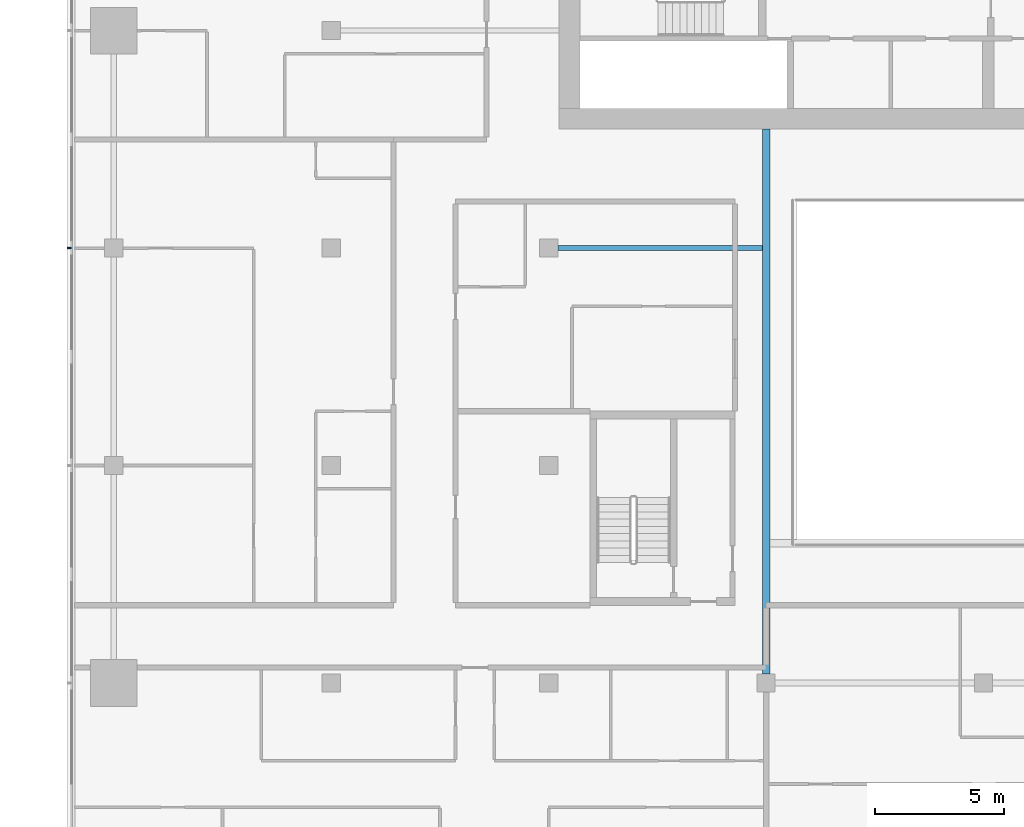
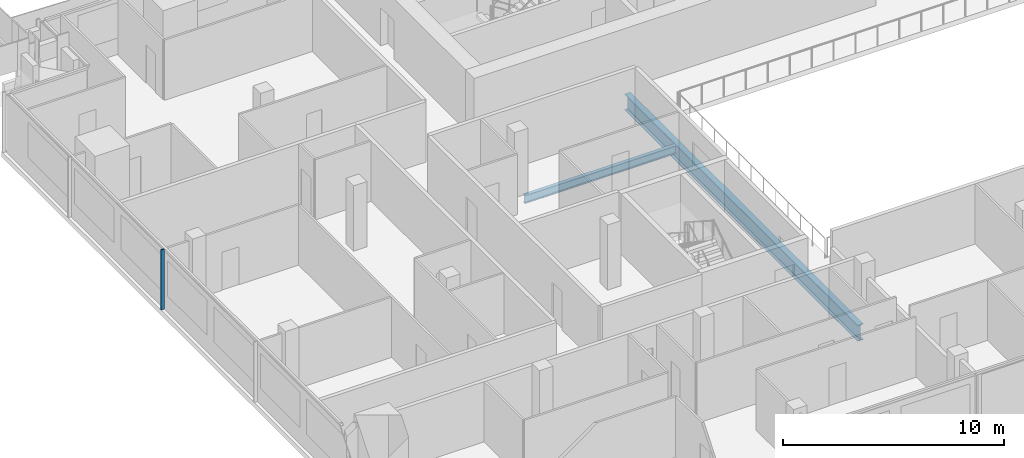
# One storey, part 6 of 30: 2 beams, 1 member, 1 element without a shape of its own.
"""IFC4 building model written with IfcOpenShell, lengths in metres."""

from ifc_helpers import new_model, si_unit, direction, frame, origin, origin_2d, place, context, subcontext, project, spatial, rectangle, i_section, extrude, material, material_profile, profile_set, type_object, element, aggregate, save


model = new_model("IFC4")

# Units and contexts
model_context = context("Model", 3, precision=1e-05, world=origin(), true_north=direction((0.0, 1.0)))
body_context = subcontext(model_context, "Body", "Model", "MODEL_VIEW")
ifc_project = project(units=[si_unit("LENGTHUNIT", "METRE"), si_unit("AREAUNIT", "SQUARE_METRE"), si_unit("VOLUMEUNIT", "CUBIC_METRE"), si_unit("PLANEANGLEUNIT", "RADIAN"), si_unit("MASSUNIT", "GRAM", prefix="KILO")], contexts=[model_context])

# Site, building, storey
site_placement = place(None, origin())
site = spatial("IfcSite", under=ifc_project, at=site_placement, CompositionType="ELEMENT")
building_placement = place(site_placement, origin())
building = spatial("IfcBuilding", under=site, at=building_placement, Name="Saffron Gate Tower", CompositionType="ELEMENT")
storey_placement = place(building_placement, frame((0.0, 0.0, 179.85009765625)))
storey = spatial("IfcBuildingStorey", under=building, at=storey_placement, Name="L44", CompositionType="ELEMENT", Elevation=179.85009765625)

# Beams
ifc_material_1 = material(Name="Structural steel S355", Category="steel")
ifc_material_profile_1 = material_profile(ifc_material_1, i_section(OverallWidth=0.300048828125, OverallDepth=0.889892578125, WebThickness=0.01611328125, FlangeThickness=0.030029296875, FilletRadius=0.030029296875, at=origin_2d()))
ifc_profile_set_1 = profile_set([ifc_material_profile_1], Name="Structural steel S355")
beam_type_1 = type_object("IfcBeamType", Name="B19 HEA 900", PredefinedType="BEAM", material=ifc_profile_set_1)
beam_1_placement = place(storey_placement, frame((75.0, 40.550048828125, -0.72509765625), z_axis=(0.0, 1.0, 0.0), x_axis=(-1.0, 0.0, 0.0)))
element("IfcBeam", 1, at=beam_1_placement, inside=storey, type_object=beam_type_1, Name="B19 ATRIUM GIRDER", PredefinedType="BEAM", context=body_context, shape_type="SweptSolid", body=[
    extrude(i_section(OverallWidth=0.300048828125, OverallDepth=0.889892578125, WebThickness=0.01611328125, FlangeThickness=0.030029296875, FilletRadius=0.030029296875, at=origin_2d()), origin(), (0.0, 0.0, 1.0), 21.050048828125),
])
ifc_material_profile_2 = material_profile(ifc_material_1, i_section(OverallWidth=0.18994140625, OverallDepth=0.449951171875, WebThickness=0.009521484375, FlangeThickness=0.0146484375, FilletRadius=0.02099609375, at=origin_2d()))
ifc_profile_set_2 = profile_set([ifc_material_profile_2], Name="Structural steel S355")
beam_type_2 = type_object("IfcBeamType", Name="B6 IPE 450", PredefinedType="BEAM", material=ifc_profile_set_2)
beam_2_placement = place(storey_placement, frame((66.949951171875, 57.0, -0.505126953125), z_axis=(1.0, 0.0, 0.0), x_axis=(0.0, 1.0, 0.0)))
element("IfcBeam", 2, at=beam_2_placement, inside=storey, type_object=beam_type_2, Name="B6 CORE TIE BEAM", PredefinedType="BEAM", context=body_context, shape_type="SweptSolid", body=[
    extrude(i_section(OverallWidth=0.18994140625, OverallDepth=0.449951171875, WebThickness=0.009521484375, FlangeThickness=0.0146484375, FilletRadius=0.02099609375, at=origin_2d()), origin(), (0.0, 0.0, 1.0), 7.900146484375),
])

# Curtain wall, member
ifc_material_2 = material(Name="Aluminium, bronze anodised", Category="aluminium")
curtain_wall_type = type_object("IfcCurtainWallType", Name="CWS2 curtain wall side facades", PredefinedType="NOTDEFINED", material=ifc_material_2)
curtain_wall_placement = place(storey_placement, origin())
curtain_wall = element("IfcCurtainWall", 3, at=curtain_wall_placement, inside=storey, type_object=curtain_wall_type, Name="CWS2 run 10", PredefinedType="NOTDEFINED")
ifc_material_profile_3 = material_profile(ifc_material_2, rectangle(XDim=0.159912109375, YDim=0.06005859375, at=origin_2d()))
ifc_profile_set_3 = profile_set([ifc_material_profile_3], Name="Aluminium, bronze anodised")
member_type = type_object("IfcMemberType", Name="CWS2 mullion 60x160", PredefinedType="MULLION", material=ifc_profile_set_3)
member_placement = place(storey_placement, frame((48.080078125, 57.0, 0.0), z_axis=(0.0, 0.0, 1.0), x_axis=(1.0, 0.0, 0.0)))
member = element("IfcMember", 4, at=member_placement, type_object=member_type, Name="CWS2 mullion 3", PredefinedType="MULLION", context=body_context, shape_type="SweptSolid", body=[
    extrude(rectangle(XDim=0.159912109375, YDim=0.06005859375, at=origin_2d()), origin(), (0.0, 0.0, 1.0), 3.31982421875),
])
aggregate(curtain_wall, [member])

save(model, "model.ifc")
